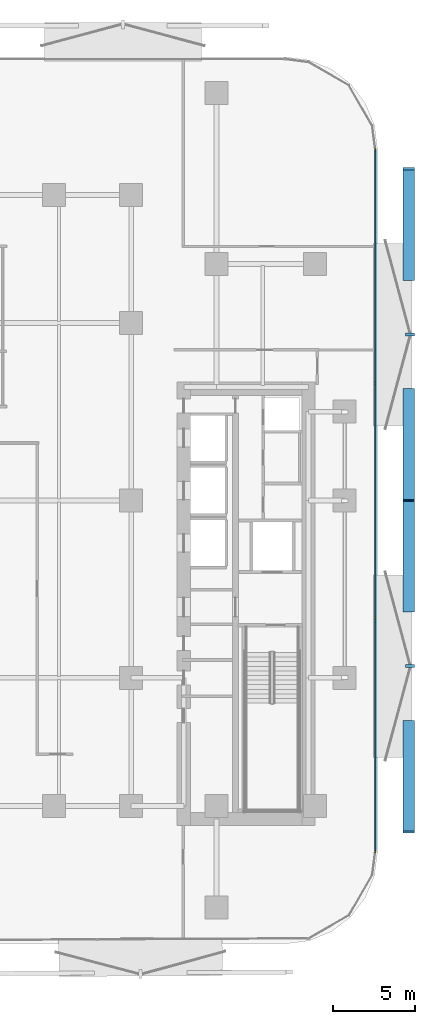
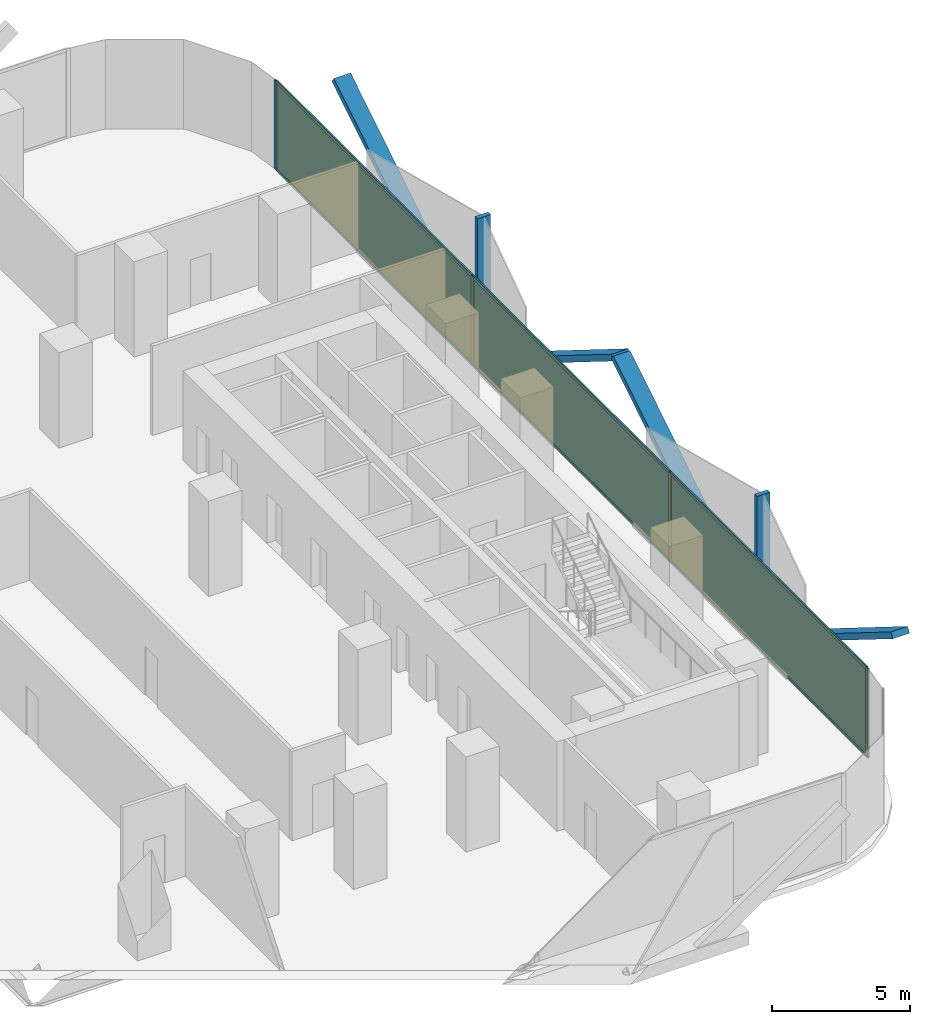
# One storey, part 9 of 15: 16 members, 3 plates, 1 curtain wall.
"""IFC4 building model written with IfcOpenShell, lengths in metres."""

from ifc_helpers import new_model, si_unit, direction, frame, frame_2d, origin, origin_2d, place, context, subcontext, project, spatial, rectangle, extrude, material, layer, layer_set, material_profile, profile_set, type_object, element, aggregate, save


model = new_model("IFC4")

# Units and contexts
model_context = context("Model", 3, precision=1e-05, world=origin(), true_north=direction((0.0, 1.0)))
body_context = subcontext(model_context, "Body", "Model", "MODEL_VIEW")
ifc_project = project(units=[si_unit("LENGTHUNIT", "METRE"), si_unit("AREAUNIT", "SQUARE_METRE"), si_unit("VOLUMEUNIT", "CUBIC_METRE"), si_unit("PLANEANGLEUNIT", "RADIAN"), si_unit("MASSUNIT", "GRAM", prefix="KILO")], contexts=[model_context])

# Member
ifc_material_1 = material(Name="Anodised Bronze Aluminium 6063-T6", Category="aluminium")
ifc_material_profile_1 = material_profile(ifc_material_1, rectangle(XDim=0.260009765625, YDim=0.699951171875, at=origin_2d()))
ifc_profile_set_1 = profile_set([ifc_material_profile_1], Name="Anodised Bronze Aluminium 6063-T6")
member_type_1 = type_object("IfcMemberType", Name="Bronze Diamond Solar-Screen Lattice Rib BDL-700", PredefinedType="MULLION", material=ifc_profile_set_1)
site_placement = place(None, origin())
building_placement = place(site_placement, origin())
storey_placement = place(building_placement, frame((0.0, 0.0, 59.60009765625)))
member_1_placement = place(storey_placement, frame((26.10009765625, 6.730224609375, -0.130126953125), z_axis=(0.0, -0.848362902952, 0.529415134744), x_axis=(0.0, -0.529415134744, -0.848362902952)))
member_1 = element("IfcMember", 1, at=member_1_placement, type_object=member_type_1, Name="L14 Bronze Diamond Solar Screen Lattice Rib 71A", PredefinedType="MULLION", context=body_context, shape_type="SweptSolid", body=[
    extrude(rectangle(XDim=0.260009765625, YDim=0.699951171875, at=origin_2d()), origin(), (0.0, 0.0, 1.0), 7.93310546875),
])

member_2_placement = place(storey_placement, frame((26.10009765625, 13.46044921875, -0.130126953125), z_axis=(0.0, 0.848371528126, 0.529401313057), x_axis=(0.0, 0.529401313057, -0.848371528126)))
member_2 = element("IfcMember", 2, at=member_2_placement, type_object=member_type_1, Name="L14 Bronze Diamond Solar Screen Lattice Rib 71B", PredefinedType="MULLION", context=body_context, shape_type="SweptSolid", body=[
    extrude(rectangle(XDim=0.260009765625, YDim=0.699951171875, at=origin_2d()), origin(), (0.0, 0.0, 1.0), 7.933349609375),
])

member_3_placement = place(storey_placement, frame((26.10009765625, -13.46044921875, -0.130126953125), z_axis=(0.0, -0.848371528126, 0.529401313057), x_axis=(0.0, -0.529401313057, -0.848371528126)))
member_3 = element("IfcMember", 3, at=member_3_placement, type_object=member_type_1, Name="L14 Bronze Diamond Solar Screen Lattice Rib 72A", PredefinedType="MULLION", context=body_context, shape_type="SweptSolid", body=[
    extrude(rectangle(XDim=0.260009765625, YDim=0.699951171875, at=origin_2d()), origin(), (0.0, 0.0, 1.0), 7.933349609375),
])

member_4_placement = place(storey_placement, frame((26.10009765625, -6.730224609375, -0.130126953125), z_axis=(0.0, 0.848362902952, 0.529415134744), x_axis=(0.0, 0.529415134744, -0.848362902952)))
member_4 = element("IfcMember", 4, at=member_4_placement, type_object=member_type_1, Name="L14 Bronze Diamond Solar Screen Lattice Rib 72B", PredefinedType="MULLION", context=body_context, shape_type="SweptSolid", body=[
    extrude(rectangle(XDim=0.260009765625, YDim=0.699951171875, at=origin_2d()), origin(), (0.0, 0.0, 1.0), 7.93310546875),
])

ifc_material_2 = material(Name="Anodised Bronze Aluminium 6063-T6", Category="aluminium")
ifc_material_profile_2 = material_profile(ifc_material_2, rectangle(XDim=0.179931640625, YDim=0.5400390625, at=origin_2d()))
ifc_profile_set_2 = profile_set([ifc_material_profile_2], Name="Anodised Bronze Aluminium 6063-T6")
member_type_2 = type_object("IfcMemberType", Name="Bronze Solar-Screen Vertical Fold Fin BSF-540", PredefinedType="MULLION", material=ifc_profile_set_2)
member_5_placement = place(storey_placement, frame((26.179931640625, 10.095458984375, -0.130126953125), z_axis=(0.0, 0.0, 1.0), x_axis=(0.0, -1.0, 0.0)))
member_5 = element("IfcMember", 5, at=member_5_placement, type_object=member_type_2, Name="L14 Bronze Solar Screen Vertical Fin 71", PredefinedType="MULLION", context=body_context, shape_type="SweptSolid", body=[
    extrude(rectangle(XDim=0.179931640625, YDim=0.5400390625, at=origin_2d()), origin(), (0.0, 0.0, 1.0), 4.199951171875),
])

member_6_placement = place(storey_placement, frame((26.179931640625, -10.095458984375, -0.130126953125), z_axis=(0.0, 0.0, 1.0), x_axis=(0.0, -1.0, 0.0)))
member_6 = element("IfcMember", 6, at=member_6_placement, type_object=member_type_2, Name="L14 Bronze Solar Screen Vertical Fin 72", PredefinedType="MULLION", context=body_context, shape_type="SweptSolid", body=[
    extrude(rectangle(XDim=0.179931640625, YDim=0.5400390625, at=origin_2d()), origin(), (0.0, 0.0, 1.0), 4.199951171875),
])

ifc_material_3 = material(Name="Anodised Bronze Aluminium 6063-T6", Category="aluminium")
ifc_material_profile_3 = material_profile(ifc_material_3, rectangle(XDim=0.06494140625, YDim=0.179931640625, at=origin_2d()))
ifc_profile_set_3 = profile_set([ifc_material_profile_3], Name="Anodised Bronze Aluminium 6063-T6")
member_type_3 = type_object("IfcMemberType", Name="CW-Z1 Mullion 65x180", PredefinedType="MULLION", material=ifc_profile_set_3)
member_7_placement = place(storey_placement, frame((24.06005859375, 21.3583984375, 0.0), z_axis=(0.0, 0.0, 1.0), x_axis=(1.0, 0.0, 0.0)))
member_7 = element("IfcMember", 7, at=member_7_placement, type_object=member_type_3, Name="CW-Z1 mullion 1", PredefinedType="MULLION", context=body_context, shape_type="SweptSolid", body=[
    extrude(rectangle(XDim=0.06494140625, YDim=0.179931640625, at=origin_2d()), origin(), (0.0, 0.0, 1.0), 3.93994140625),
])

member_8_placement = place(storey_placement, frame((24.06005859375, 7.13037109375, 0.0), z_axis=(0.0, 0.0, 1.0), x_axis=(1.0, 0.0, 0.0)))
member_8 = element("IfcMember", 8, at=member_8_placement, type_object=member_type_3, Name="CW-Z1 mullion 2", PredefinedType="MULLION", context=body_context, shape_type="SweptSolid", body=[
    extrude(rectangle(XDim=0.06494140625, YDim=0.179931640625, at=origin_2d()), origin(), (0.0, 0.0, 1.0), 3.93994140625),
])

member_9_placement = place(storey_placement, frame((24.06005859375, -7.13037109375, 0.0), z_axis=(0.0, 0.0, 1.0), x_axis=(1.0, 0.0, 0.0)))
member_9 = element("IfcMember", 9, at=member_9_placement, type_object=member_type_3, Name="CW-Z1 mullion 3", PredefinedType="MULLION", context=body_context, shape_type="SweptSolid", body=[
    extrude(rectangle(XDim=0.06494140625, YDim=0.179931640625, at=origin_2d()), origin(), (0.0, 0.0, 1.0), 3.93994140625),
])

member_10_placement = place(storey_placement, frame((24.06005859375, -21.3583984375, 0.0), z_axis=(0.0, 0.0, 1.0), x_axis=(1.0, 0.0, 0.0)))
member_10 = element("IfcMember", 10, at=member_10_placement, type_object=member_type_3, Name="CW-Z1 mullion 4", PredefinedType="MULLION", context=body_context, shape_type="SweptSolid", body=[
    extrude(rectangle(XDim=0.06494140625, YDim=0.179931640625, at=origin_2d()), origin(), (0.0, 0.0, 1.0), 3.93994140625),
])

ifc_material_4 = material(Name="Anodised Bronze Aluminium 6063-T6", Category="aluminium")
ifc_material_profile_4 = material_profile(ifc_material_4, rectangle(XDim=0.06494140625, YDim=0.139892578125, at=origin_2d()))
ifc_profile_set_4 = profile_set([ifc_material_profile_4], Name="Anodised Bronze Aluminium 6063-T6")
member_type_4 = type_object("IfcMemberType", Name="CW-Z1 Transom 65x140", PredefinedType="USERDEFINED", material=ifc_profile_set_4)
member_11_placement = place(storey_placement, frame((24.06005859375, 21.32568359375, 0.032470703125), z_axis=(0.0, -1.0, 0.0), x_axis=(1.0, 0.0, 0.0)))
member_11 = element("IfcMember", 11, at=member_11_placement, type_object=member_type_4, Name="CW-Z1 transom 1.1", ObjectType="TRANSOM", PredefinedType="USERDEFINED", context=body_context, shape_type="SweptSolid", body=[
    extrude(rectangle(XDim=0.06494140625, YDim=0.139892578125, at=origin_2d()), origin(), (0.0, 0.0, 1.0), 14.162841796875),
])

member_12_placement = place(storey_placement, frame((24.06005859375, 21.32568359375, 3.907470703125), z_axis=(0.0, -1.0, 0.0), x_axis=(1.0, 0.0, 0.0)))
member_12 = element("IfcMember", 12, at=member_12_placement, type_object=member_type_4, Name="CW-Z1 transom 1.2", ObjectType="TRANSOM", PredefinedType="USERDEFINED", context=body_context, shape_type="SweptSolid", body=[
    extrude(rectangle(XDim=0.06494140625, YDim=0.139892578125, at=origin_2d()), origin(), (0.0, 0.0, 1.0), 14.162841796875),
])

member_13_placement = place(storey_placement, frame((24.06005859375, 7.09765625, 0.032470703125), z_axis=(0.0, -1.0, 0.0), x_axis=(1.0, 0.0, 0.0)))
member_13 = element("IfcMember", 13, at=member_13_placement, type_object=member_type_4, Name="CW-Z1 transom 2.1", ObjectType="TRANSOM", PredefinedType="USERDEFINED", context=body_context, shape_type="SweptSolid", body=[
    extrude(rectangle(XDim=0.06494140625, YDim=0.139892578125, at=origin_2d()), origin(), (0.0, 0.0, 1.0), 14.1953125),
])

member_14_placement = place(storey_placement, frame((24.06005859375, 7.09765625, 3.907470703125), z_axis=(0.0, -1.0, 0.0), x_axis=(1.0, 0.0, 0.0)))
member_14 = element("IfcMember", 14, at=member_14_placement, type_object=member_type_4, Name="CW-Z1 transom 2.2", ObjectType="TRANSOM", PredefinedType="USERDEFINED", context=body_context, shape_type="SweptSolid", body=[
    extrude(rectangle(XDim=0.06494140625, YDim=0.139892578125, at=origin_2d()), origin(), (0.0, 0.0, 1.0), 14.1953125),
])

member_15_placement = place(storey_placement, frame((24.06005859375, -7.162841796875, 0.032470703125), z_axis=(0.0, -1.0, 0.0), x_axis=(1.0, 0.0, 0.0)))
member_15 = element("IfcMember", 15, at=member_15_placement, type_object=member_type_4, Name="CW-Z1 transom 3.1", ObjectType="TRANSOM", PredefinedType="USERDEFINED", context=body_context, shape_type="SweptSolid", body=[
    extrude(rectangle(XDim=0.06494140625, YDim=0.139892578125, at=origin_2d()), origin(), (0.0, 0.0, 1.0), 14.162841796875),
])

member_16_placement = place(storey_placement, frame((24.06005859375, -7.162841796875, 3.907470703125), z_axis=(0.0, -1.0, 0.0), x_axis=(1.0, 0.0, 0.0)))
member_16 = element("IfcMember", 16, at=member_16_placement, type_object=member_type_4, Name="CW-Z1 transom 3.2", ObjectType="TRANSOM", PredefinedType="USERDEFINED", context=body_context, shape_type="SweptSolid", body=[
    extrude(rectangle(XDim=0.06494140625, YDim=0.139892578125, at=origin_2d()), origin(), (0.0, 0.0, 1.0), 14.162841796875),
])

# Plate
ifc_material_5 = material(Name="Low-E Solar Control Laminated Glass", Category="glass")
ifc_layer_1 = layer(ifc_material_5, 0.028076171875, Name="Low-E Solar Control Laminated Glass")
ifc_layer_set_1 = layer_set([ifc_layer_1], Name="Low-E Solar Control Laminated Glass")
plate_type = type_object("IfcPlateType", Name="CW-Z1 Low-E Double Glazed Panel 28mm", PredefinedType="CURTAIN_PANEL", material=ifc_layer_set_1)
plate_1_placement = place(storey_placement, frame((24.06005859375, 14.244384765625, 0.06494140625), z_axis=(0.0, 0.0, 1.0), x_axis=(0.0, -1.0, 0.0)))
plate_1 = element("IfcPlate", 17, at=plate_1_placement, type_object=plate_type, Name="CW-Z1 panel 1.1", PredefinedType="CURTAIN_PANEL", context=body_context, shape_type="SweptSolid", body=[
    extrude(rectangle(XDim=14.1630859375, YDim=0.028076171875, at=origin_2d()), origin(), (0.0, 0.0, 1.0), 3.81005859375),
])

plate_2_placement = place(storey_placement, frame((24.06005859375, 0.0, 0.06494140625), z_axis=(0.0, 0.0, 1.0), x_axis=(0.0, -1.0, 0.0)))
plate_2 = element("IfcPlate", 18, at=plate_2_placement, type_object=plate_type, Name="CW-Z1 panel 2.1", PredefinedType="CURTAIN_PANEL", context=body_context, shape_type="SweptSolid", body=[
    extrude(rectangle(XDim=14.195556640625, YDim=0.028076171875, at=origin_2d()), origin(), (0.0, 0.0, 1.0), 3.81005859375),
])

plate_3_placement = place(storey_placement, frame((24.06005859375, -14.244384765625, 0.06494140625), z_axis=(0.0, 0.0, 1.0), x_axis=(0.0, -1.0, 0.0)))
plate_3 = element("IfcPlate", 19, at=plate_3_placement, type_object=plate_type, Name="CW-Z1 panel 3.1", PredefinedType="CURTAIN_PANEL", context=body_context, shape_type="SweptSolid", body=[
    extrude(rectangle(XDim=14.1630859375, YDim=0.028076171875, at=origin_2d()), origin(), (0.0, 0.0, 1.0), 3.81005859375),
])

# Site, building, storey
site = spatial("IfcSite", under=ifc_project, at=site_placement, CompositionType="ELEMENT")
building = spatial("IfcBuilding", under=site, at=building_placement, Name="Khairoan Windgate Tower", CompositionType="ELEMENT")
storey = spatial("IfcBuildingStorey", under=building, at=storey_placement, Name="L14", CompositionType="ELEMENT", Elevation=59.60009765625)

# Curtain wall
ifc_material_6 = material(Name="Anodised Bronze Aluminium 6063-T6", Category="aluminium")
ifc_layer_2 = layer(ifc_material_6, 0.179931640625, Name="Anodised Bronze Aluminium 6063-T6")
ifc_layer_set_2 = layer_set([ifc_layer_2], Name="Anodised Bronze Aluminium 6063-T6")
curtain_wall_type = type_object("IfcCurtainWallType", Name="Low-Rise Office Unitised Curtain Wall CW-Z1", PredefinedType="NOTDEFINED", material=ifc_layer_set_2)
curtain_wall_placement = place(storey_placement, frame((24.06005859375, 21.390869140625, 0.0), z_axis=(0.0, 0.0, 1.0), x_axis=(0.0, -1.0, 0.0)))
curtain_wall = element("IfcCurtainWall", 20, at=curtain_wall_placement, inside=storey, type_object=curtain_wall_type, Name="L14 Unitised Curtain Wall 16", PredefinedType="NOTDEFINED", context=body_context, shape_type="SweptSolid", body=[
    extrude(rectangle(XDim=42.78173828125, YDim=0.010009765625, at=frame_2d((21.390869140625, 0.0))), origin(), (0.0, 0.0, 1.0), 3.93994140625),
])

aggregate(curtain_wall, [member_7, member_8, member_9, member_10, member_11, member_12, plate_1, member_13, member_14, plate_2, member_15, member_16, plate_3, member_1, member_2, member_5, member_3, member_4, member_6])

save(model, "model.ifc")
